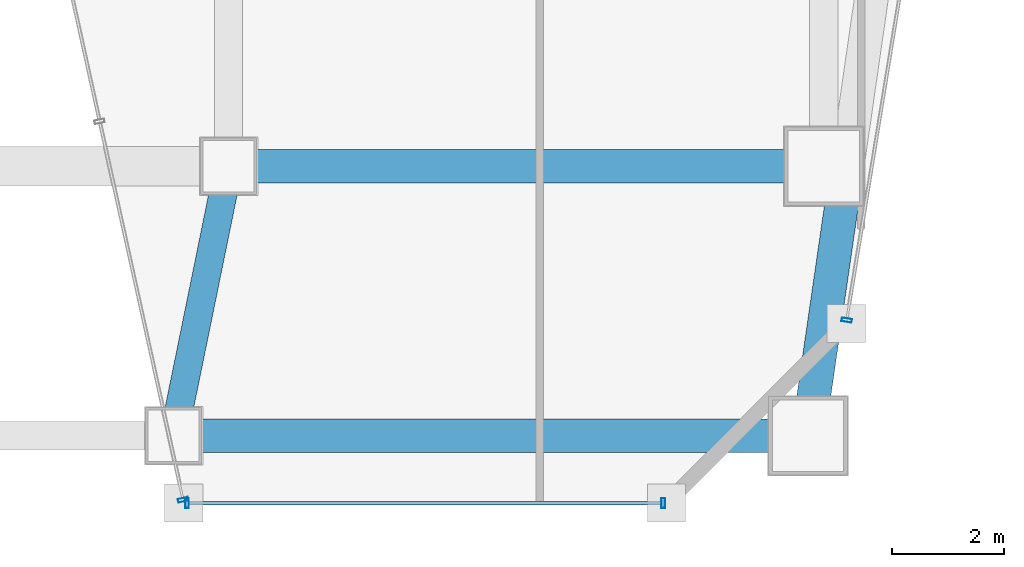
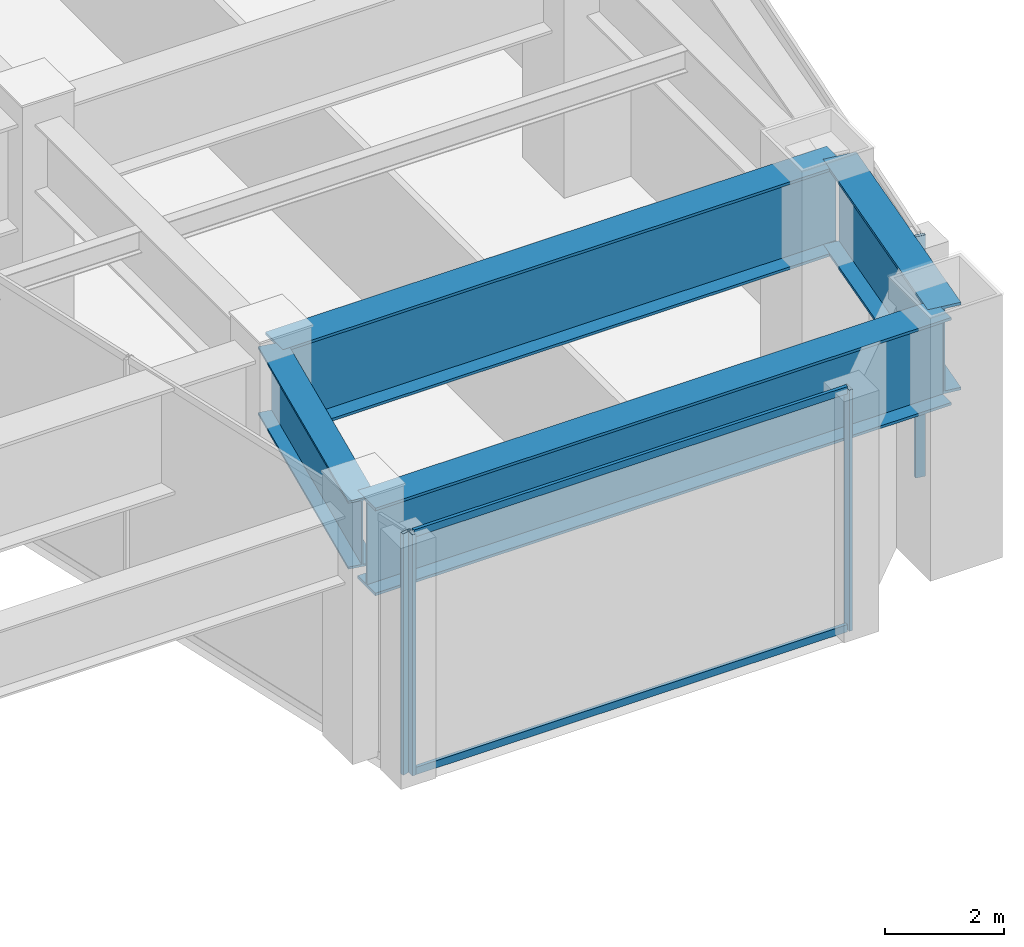
# One storey, part 19 of 42: 6 members, 4 beams, 3 elements without a shape of their own.
"""IFC4 building model written with IfcOpenShell, lengths in metres."""

from ifc_helpers import new_model, si_unit, direction, frame, origin, origin_2d, place, context, subcontext, project, spatial, hollow_rectangle, i_section, extrude, material, material_profile, profile_set, type_object, element, aggregate, save


model = new_model("IFC4")

# Units and contexts
model_context = context("Model", 3, precision=1e-05, world=origin(), true_north=direction((0.0, 1.0)))
body_context = subcontext(model_context, "Body", "Model", "MODEL_VIEW")
ifc_project = project(units=[si_unit("LENGTHUNIT", "METRE"), si_unit("AREAUNIT", "SQUARE_METRE"), si_unit("VOLUMEUNIT", "CUBIC_METRE"), si_unit("PLANEANGLEUNIT", "RADIAN"), si_unit("MASSUNIT", "GRAM", prefix="KILO")], contexts=[model_context])

# Site, building, storey
site_placement = place(None, origin())
site = spatial("IfcSite", under=ifc_project, at=site_placement, CompositionType="ELEMENT")
building_placement = place(site_placement, origin())
building = spatial("IfcBuilding", under=site, at=building_placement, Name="Saevonmaru Cultural Tower", CompositionType="ELEMENT")
storey_placement = place(building_placement, frame((0.0, 0.0, 33.0)))
storey = spatial("IfcBuildingStorey", under=building, at=storey_placement, Name="L06", CompositionType="ELEMENT", Elevation=33.0)

# Beams
ifc_material_1 = material(Name="Steel HSA600 (600 MPa)", Category="steel")
ifc_material_profile_1 = material_profile(ifc_material_1, i_section(OverallWidth=0.5, OverallDepth=1.39990234375, WebThickness=0.02392578125, FlangeThickness=0.044921875, at=origin_2d()), Name="PG-1400x500x24x45")
ifc_profile_set_1 = profile_set([ifc_material_profile_1], Name="Steel HSA600 (600 MPa)")
beam_type_1 = type_object("IfcBeamType", Name="BM-TG-PG1400", PredefinedType="BEAM", material=ifc_profile_set_1)
beam_1_placement = place(storey_placement, frame((36.23193359375, 3.2587890625, 4.25), z_axis=(0.200054094908, 0.979784853481, 0.0), x_axis=(-0.979784853481, 0.200054094908, 0.0)))
element("IfcBeam", 1, at=beam_1_placement, inside=storey, type_object=beam_type_1, Name="L06 Podium Girder NS3-1", PredefinedType="BEAM", context=body_context, shape_type="SweptSolid", body=[
    extrude(i_section(OverallWidth=0.5, OverallDepth=1.39990234375, WebThickness=0.02392578125, FlangeThickness=0.044921875, at=origin_2d()), origin(), (0.0, 0.0, 1.0), 4.779052734375),
])
ifc_material_profile_2 = material_profile(ifc_material_1, i_section(OverallWidth=0.60009765625, OverallDepth=1.800048828125, WebThickness=0.028076171875, FlangeThickness=0.054931640625, at=origin_2d()), Name="PG-1800x600x28x55")
ifc_profile_set_2 = profile_set([ifc_material_profile_2], Name="Steel HSA600 (600 MPa)")
beam_type_2 = type_object("IfcBeamType", Name="BM-TG-PG1800", PredefinedType="BEAM", material=ifc_profile_set_2)
beam_2_placement = place(storey_placement, frame((36.280029296875, 3.199951171875, 4.050048828125), z_axis=(1.0, 0.0, 0.0), x_axis=(0.0, 1.0, 0.0)))
element("IfcBeam", 2, at=beam_2_placement, inside=storey, type_object=beam_type_2, Name="BM-POD-EW-E-0-L06", PredefinedType="BEAM", context=body_context, shape_type="SweptSolid", body=[
    extrude(i_section(OverallWidth=0.60009765625, OverallDepth=1.800048828125, WebThickness=0.028076171875, FlangeThickness=0.054931640625, at=origin_2d()), origin(), (0.0, 0.0, 1.0), 11.179931640625),
])
beam_3_placement = place(storey_placement, frame((37.260009765625, 8.0, 4.050048828125), z_axis=(1.0, 0.0, 0.0), x_axis=(0.0, 1.0, 0.0)))
element("IfcBeam", 3, at=beam_3_placement, inside=storey, type_object=beam_type_2, Name="L06 Transfer Plate Girder E-1", PredefinedType="BEAM", context=body_context, shape_type="SweptSolid", body=[
    extrude(i_section(OverallWidth=0.60009765625, OverallDepth=1.800048828125, WebThickness=0.028076171875, FlangeThickness=0.054931640625, at=origin_2d()), origin(), (0.0, 0.0, 1.0), 10.89697265625),
])
ifc_material_profile_3 = material_profile(ifc_material_1, i_section(OverallWidth=0.60009765625, OverallDepth=1.800048828125, WebThickness=0.028076171875, FlangeThickness=0.054931640625, at=origin_2d()), Name="PG-1800x600x28x55")
ifc_profile_set_3 = profile_set([ifc_material_profile_3], Name="Steel HSA600 (600 MPa)")
beam_type_3 = type_object("IfcBeamType", Name="BM-TG-PG1800-EXT", PredefinedType="SPANDREL", material=ifc_profile_set_3)
beam_4_placement = place(storey_placement, frame((47.527099609375, 3.24951171875, 4.050048828125), z_axis=(0.14370191467, 0.989621018229, 0.0), x_axis=(-0.989621018229, 0.14370191467, 0.0)))
element("IfcBeam", 4, at=beam_4_placement, inside=storey, type_object=beam_type_3, Name="L06 Perimeter Transfer Spandrel E-1", PredefinedType="SPANDREL", context=body_context, shape_type="SweptSolid", body=[
    extrude(i_section(OverallWidth=0.60009765625, OverallDepth=1.800048828125, WebThickness=0.028076171875, FlangeThickness=0.054931640625, at=origin_2d()), origin(), (0.0, 0.0, 1.0), 4.750244140625),
])

# Curtain wall, member
ifc_material_2 = material(Name="Satin Bronze Anodised Aluminium", Category="aluminium")
curtain_wall_type = type_object("IfcCurtainWallType", Name="CW-SKY-GLZ", PredefinedType="NOTDEFINED", material=ifc_material_2)
curtain_wall_1_placement = place(storey_placement, origin())
curtain_wall_1 = element("IfcCurtainWall", 5, at=curtain_wall_1_placement, inside=storey, type_object=curtain_wall_type, Name="L06 Unitised Curtain Wall E5", PredefinedType="NOTDEFINED")
ifc_material_profile_4 = material_profile(ifc_material_2, hollow_rectangle(XDim=0.06494140625, YDim=0.179931640625, WallThickness=0.00390625, at=origin_2d()), Name="ALU-MULL-180x65x4")
ifc_profile_set_4 = profile_set([ifc_material_profile_4], Name="Satin Bronze Anodised Aluminium")
member_type_1 = type_object("IfcMemberType", Name="ML-CW-180x65", PredefinedType="MULLION", material=ifc_profile_set_4)
member_1_placement = place(storey_placement, frame((36.38720703125, 2.05859375, 0.0), z_axis=(0.0, 0.0, 1.0), x_axis=(0.215413319953, -0.976522965212, 0.0)))
member_1 = element("IfcMember", 6, at=member_1_placement, type_object=member_type_1, Name="CW-TW-L06-E5 mullion 3", PredefinedType="MULLION", context=body_context, shape_type="SweptSolid", body=[
    extrude(hollow_rectangle(XDim=0.06494140625, YDim=0.179931640625, WallThickness=0.00390625, at=origin_2d()), origin(), (0.0, 0.0, 1.0), 4.949951171875),
])
aggregate(curtain_wall_1, [member_1])

# Curtain wall, members
curtain_wall_2_placement = place(storey_placement, origin())
curtain_wall_2 = element("IfcCurtainWall", 7, at=curtain_wall_2_placement, inside=storey, type_object=curtain_wall_type, Name="L06 Unitised Curtain Wall E6", PredefinedType="NOTDEFINED")
member_2_placement = place(storey_placement, frame((36.4599609375, 2.0, 0.0), z_axis=(0.0, 0.0, 1.0), x_axis=(1.0, 0.0, 0.0)))
member_2 = element("IfcMember", 8, at=member_2_placement, type_object=member_type_1, Name="CW-TW-L06-E6 mullion 1", PredefinedType="MULLION", context=body_context, shape_type="SweptSolid", body=[
    extrude(hollow_rectangle(XDim=0.06494140625, YDim=0.179931640625, WallThickness=0.00390625, at=origin_2d()), origin(), (0.0, 0.0, 1.0), 4.949951171875),
])
member_3_placement = place(storey_placement, frame((44.93994140625, 2.0, 0.0), z_axis=(0.0, 0.0, 1.0), x_axis=(1.0, 0.0, 0.0)))
member_3 = element("IfcMember", 9, at=member_3_placement, type_object=member_type_1, Name="CW-TW-L06-E6 mullion 2", PredefinedType="MULLION", context=body_context, shape_type="SweptSolid", body=[
    extrude(hollow_rectangle(XDim=0.06494140625, YDim=0.179931640625, WallThickness=0.00390625, at=origin_2d()), origin(), (0.0, 0.0, 1.0), 4.949951171875),
])

# Curtain wall, member
curtain_wall_3_placement = place(storey_placement, origin())
curtain_wall_3 = element("IfcCurtainWall", 10, at=curtain_wall_3_placement, inside=storey, type_object=curtain_wall_type, Name="L06 Unitised Curtain Wall E8", PredefinedType="NOTDEFINED")
member_4_placement = place(storey_placement, frame((48.209716796875, 5.25927734375, 0.0), z_axis=(0.0, 0.0, 1.0), x_axis=(0.161708868641, 0.986838508472, 0.0)))
member_4 = element("IfcMember", 11, at=member_4_placement, type_object=member_type_1, Name="CW-TW-L06-E8 mullion 1", PredefinedType="MULLION", context=body_context, shape_type="SweptSolid", body=[
    extrude(hollow_rectangle(XDim=0.06494140625, YDim=0.179931640625, WallThickness=0.00390625, at=origin_2d()), origin(), (0.0, 0.0, 1.0), 4.949951171875),
])
aggregate(curtain_wall_3, [member_4])

# Member
ifc_material_profile_5 = material_profile(ifc_material_2, hollow_rectangle(XDim=0.06494140625, YDim=0.14990234375, WallThickness=0.00390625, at=origin_2d()), Name="ALU-TRAN-150x65x4")
ifc_profile_set_5 = profile_set([ifc_material_profile_5], Name="Satin Bronze Anodised Aluminium")
member_type_2 = type_object("IfcMemberType", Name="TR-CW-150x65", PredefinedType="USERDEFINED", material=ifc_profile_set_5)
member_5_placement = place(storey_placement, frame((36.492431640625, 2.0, 0.032470703125), z_axis=(1.0, 0.0, 0.0), x_axis=(0.0, 1.0, 0.0)))
member_5 = element("IfcMember", 12, at=member_5_placement, type_object=member_type_2, Name="CW-TW-L06-E6 transom 1.1", ObjectType="TRANSOM", PredefinedType="USERDEFINED", context=body_context, shape_type="SweptSolid", body=[
    extrude(hollow_rectangle(XDim=0.06494140625, YDim=0.14990234375, WallThickness=0.00390625, at=origin_2d()), origin(), (0.0, 0.0, 1.0), 8.4150390625),
])

member_6_placement = place(storey_placement, frame((36.492431640625, 2.0, 4.91748046875), z_axis=(1.0, 0.0, 0.0), x_axis=(0.0, 1.0, 0.0)))
member_6 = element("IfcMember", 13, at=member_6_placement, type_object=member_type_2, Name="CW-TW-L06-E6 transom 1.2", ObjectType="TRANSOM", PredefinedType="USERDEFINED", context=body_context, shape_type="SweptSolid", body=[
    extrude(hollow_rectangle(XDim=0.06494140625, YDim=0.14990234375, WallThickness=0.00390625, at=origin_2d()), origin(), (0.0, 0.0, 1.0), 8.4150390625),
])

aggregate(curtain_wall_2, [member_2, member_3, member_5, member_6])

save(model, "model.ifc")
